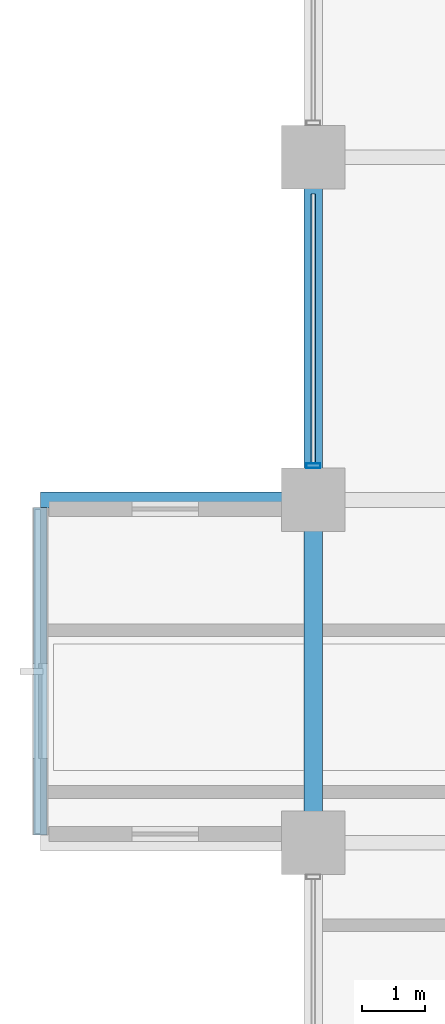
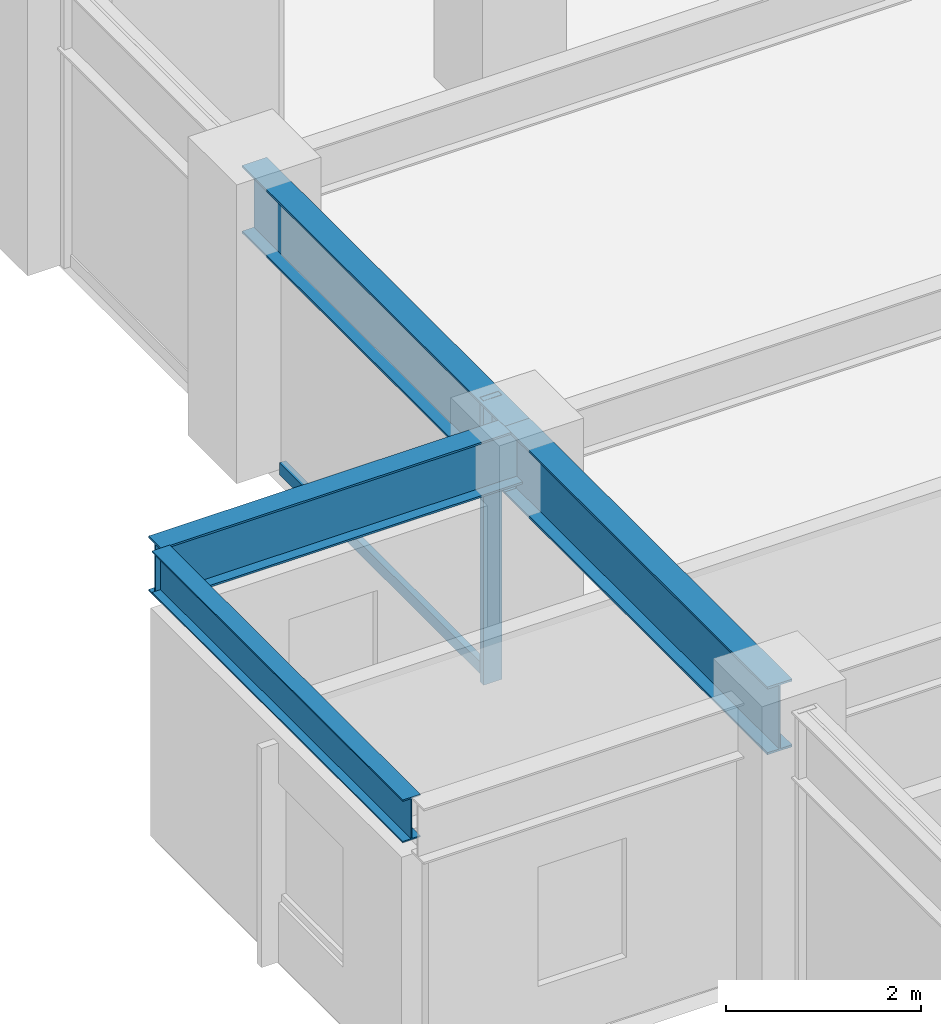
# One storey, part 10 of 29: 4 beams, 2 members, 1 element without a shape of its own.
"""IFC4 building model written with IfcOpenShell, lengths in metres."""

from ifc_helpers import new_model, si_unit, direction, frame, origin, origin_2d, place, context, subcontext, project, spatial, hollow_rectangle, i_section, extrude, material, layer, layer_set, material_profile, profile_set, type_object, element, aggregate, save


model = new_model("IFC4")

# Units and contexts
model_context = context("Model", 3, precision=1e-05, world=origin(), true_north=direction((0.0, 1.0)))
body_context = subcontext(model_context, "Body", "Model", "MODEL_VIEW")
ifc_project = project(units=[si_unit("LENGTHUNIT", "METRE"), si_unit("AREAUNIT", "SQUARE_METRE"), si_unit("VOLUMEUNIT", "CUBIC_METRE"), si_unit("PLANEANGLEUNIT", "RADIAN"), si_unit("MASSUNIT", "GRAM", prefix="KILO")], contexts=[model_context])

# Site, building, storey
site_placement = place(None, origin())
site = spatial("IfcSite", under=ifc_project, at=site_placement, CompositionType="ELEMENT")
building_placement = place(site_placement, origin())
building = spatial("IfcBuilding", under=site, at=building_placement, Name="Surkhivell Harbour Commons", CompositionType="ELEMENT")
storey_placement = place(building_placement, frame((0.0, 0.0, 154.5)))
storey = spatial("IfcBuildingStorey", under=building, at=storey_placement, Name="L40", CompositionType="ELEMENT", Elevation=154.5)

# Beams
ifc_material_1 = material(Name="Steel S460", Category="steel")
ifc_material_profile_1 = material_profile(ifc_material_1, i_section(OverallWidth=0.256103515625, OverallDepth=0.693115234375, WebThickness=0.014404296875, FlangeThickness=0.023681640625, at=origin_2d()), Name="UB686x254x170")
ifc_profile_set_1 = profile_set([ifc_material_profile_1], Name="Steel S460")
beam_type_1 = type_object("IfcBeamType", Name="BM-CNT-686", PredefinedType="BEAM", material=ifc_profile_set_1)
beam_1_placement = place(storey_placement, frame((-32.39990234375, 10.800048828125, 3.223388671875), z_axis=(-1.0, 0.0, 0.0), x_axis=(0.0, -1.0, 0.0)))
element("IfcBeam", 1, at=beam_1_placement, inside=storey, type_object=beam_type_1, Name="L40 Box Cantilever Outrigger (-32.4,10.8)", PredefinedType="BEAM", context=body_context, shape_type="SweptSolid", body=[
    extrude(i_section(OverallWidth=0.256103515625, OverallDepth=0.693115234375, WebThickness=0.014404296875, FlangeThickness=0.023681640625, at=origin_2d()), origin(), (0.0, 0.0, 1.0), 4.300048828125),
])
ifc_material_2 = material(Name="Steel S355", Category="steel")
ifc_material_profile_2 = material_profile(ifc_material_2, i_section(OverallWidth=0.2099609375, OverallDepth=0.537109375, WebThickness=0.0107421875, FlangeThickness=0.017333984375, at=origin_2d()), Name="UB533x210x101")
ifc_profile_set_2 = profile_set([ifc_material_profile_2], Name="Steel S355")
beam_type_2 = type_object("IfcBeamType", Name="BM-GRD-533B", PredefinedType="BEAM", material=ifc_profile_set_2)
beam_2_placement = place(storey_placement, frame((-36.699951171875, 5.52197265625, 3.301513671875), z_axis=(0.0, 1.0, 0.0), x_axis=(-1.0, 0.0, 0.0)))
element("IfcBeam", 2, at=beam_2_placement, inside=storey, type_object=beam_type_2, Name="L40 Box Rim Spandrel (-36.7,5.4)", PredefinedType="BEAM", context=body_context, shape_type="SweptSolid", body=[
    extrude(i_section(OverallWidth=0.2099609375, OverallDepth=0.537109375, WebThickness=0.0107421875, FlangeThickness=0.017333984375, at=origin_2d()), origin(), (0.0, 0.0, 1.0), 5.156005859375),
])
ifc_material_profile_3 = material_profile(ifc_material_1, i_section(OverallWidth=0.2939453125, OverallDepth=0.85107421875, WebThickness=0.01611328125, FlangeThickness=0.02685546875, at=origin_2d()), Name="UB838x292x226")
ifc_profile_set_3 = profile_set([ifc_material_profile_3], Name="Steel S460")
beam_type_3 = type_object("IfcBeamType", Name="BM-SPN-838", PredefinedType="SPANDREL", material=ifc_profile_set_3)
beam_3_placement = place(storey_placement, frame((-32.39990234375, 5.39990234375, 3.14453125), z_axis=(0.0, 1.0, 0.0), x_axis=(-1.0, 0.0, 0.0)))
element("IfcBeam", 3, at=beam_3_placement, inside=storey, type_object=beam_type_3, Name="L40 Tube Spandrel (-32.4,5.4)", PredefinedType="SPANDREL", context=body_context, shape_type="SweptSolid", body=[
    extrude(i_section(OverallWidth=0.2939453125, OverallDepth=0.85107421875, WebThickness=0.01611328125, FlangeThickness=0.02685546875, at=origin_2d()), origin(), (0.0, 0.0, 1.0), 5.400146484375),
])
beam_4_placement = place(storey_placement, frame((-32.39990234375, 10.800048828125, 3.14453125), z_axis=(0.0, 1.0, 0.0), x_axis=(-1.0, 0.0, 0.0)))
element("IfcBeam", 4, at=beam_4_placement, inside=storey, type_object=beam_type_3, Name="L40 Tube Spandrel (-32.4,10.8)", PredefinedType="SPANDREL", context=body_context, shape_type="SweptSolid", body=[
    extrude(i_section(OverallWidth=0.2939453125, OverallDepth=0.85107421875, WebThickness=0.01611328125, FlangeThickness=0.02685546875, at=origin_2d()), origin(), (0.0, 0.0, 1.0), 5.39990234375),
])

# Curtain wall, members
ifc_material_3 = material(Name="Anodised pale-metal aluminium and insulated glazing", Category="aluminium")
ifc_layer = layer(ifc_material_3, 0.205078125)
ifc_layer_set = layer_set([ifc_layer], Name="Anodised pale-metal aluminium and insulated glazing")
curtain_wall_type = type_object("IfcCurtainWallType", Name="CW-SYS-Z2", PredefinedType="NOTDEFINED", material=ifc_layer_set)
curtain_wall_placement = place(storey_placement, origin())
curtain_wall = element("IfcCurtainWall", 5, at=curtain_wall_placement, inside=storey, type_object=curtain_wall_type, Name="L40 Curtain Wall CW-L40-E12R2", PredefinedType="NOTDEFINED")
ifc_material_4 = material(Name="Anodised pale-metal aluminium alloy 6063-T6", Category="aluminium")
ifc_material_profile_4 = material_profile(ifc_material_4, hollow_rectangle(XDim=0.074951171875, YDim=0.219970703125, WallThickness=0.00390625, at=origin_2d()), Name="ALU-MULL-75x220")
ifc_profile_set_4 = profile_set([ifc_material_profile_4], Name="Anodised pale-metal aluminium alloy 6063-T6")
member_type_1 = type_object("IfcMemberType", Name="CWM-220", PredefinedType="MULLION", material=ifc_profile_set_4)
member_1_placement = place(storey_placement, frame((-32.39990234375, 11.339599609375, 0.0), z_axis=(0.0, 0.0, 1.0), x_axis=(0.0, 1.0, 0.0)))
member_1 = element("IfcMember", 6, at=member_1_placement, type_object=member_type_1, Name="CW-Z2 mullion 1", PredefinedType="MULLION", context=body_context, shape_type="SweptSolid", body=[
    extrude(hollow_rectangle(XDim=0.074951171875, YDim=0.219970703125, WallThickness=0.00390625, at=origin_2d()), origin(), (0.0, 0.0, 1.0), 3.570068359375),
])
ifc_material_profile_5 = material_profile(ifc_material_4, hollow_rectangle(XDim=0.074951171875, YDim=0.14990234375, WallThickness=0.00341796875, at=origin_2d()), Name="ALU-TRAN-75x150")
ifc_profile_set_5 = profile_set([ifc_material_profile_5], Name="Anodised pale-metal aluminium alloy 6063-T6")
member_type_2 = type_object("IfcMemberType", Name="CWT-150", PredefinedType="USERDEFINED", material=ifc_profile_set_5)
member_2_placement = place(storey_placement, frame((-32.39990234375, 11.376953125, 0.074951171875), z_axis=(0.0, 1.0, 0.0), x_axis=(-1.0, 0.0, 0.0)))
member_2 = element("IfcMember", 7, at=member_2_placement, type_object=member_type_2, Name="CW-Z2 transom 1.1", ObjectType="TRANSOM", PredefinedType="USERDEFINED", context=body_context, shape_type="SweptSolid", body=[
    extrude(hollow_rectangle(XDim=0.074951171875, YDim=0.14990234375, WallThickness=0.00341796875, at=origin_2d()), origin(), (0.0, 0.0, 1.0), 4.24609375),
])
aggregate(curtain_wall, [member_1, member_2])

save(model, "model.ifc")
